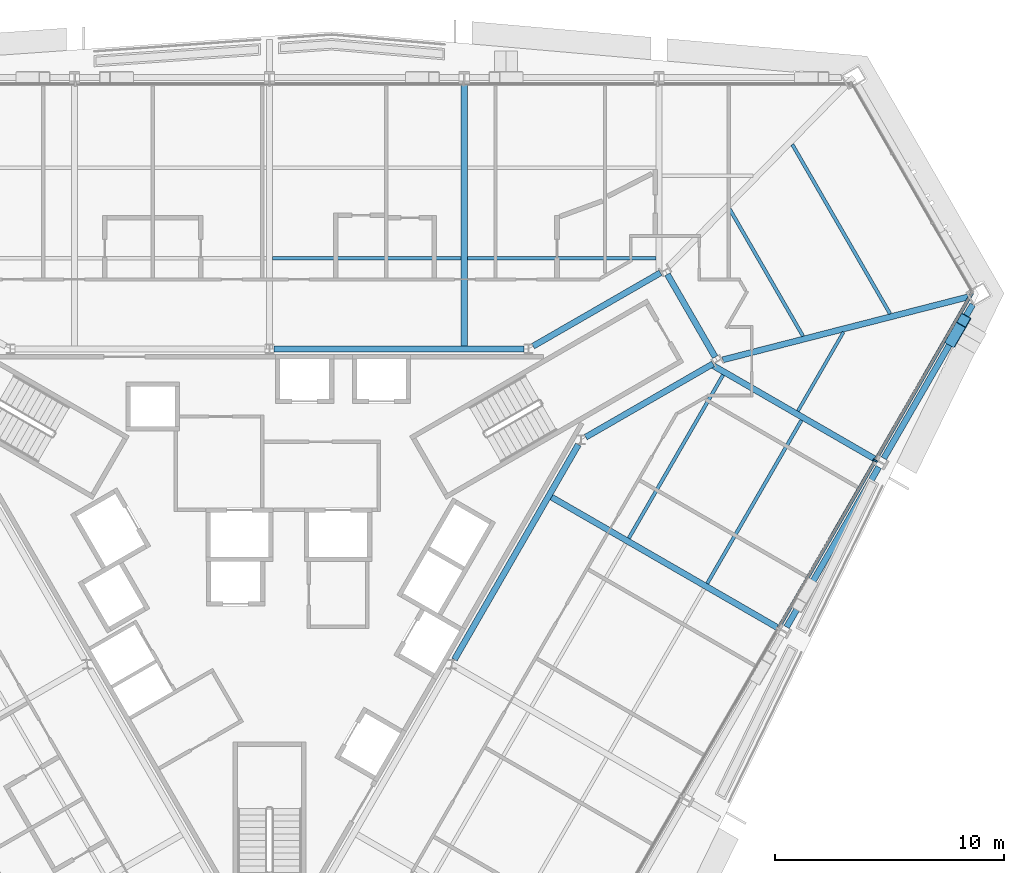
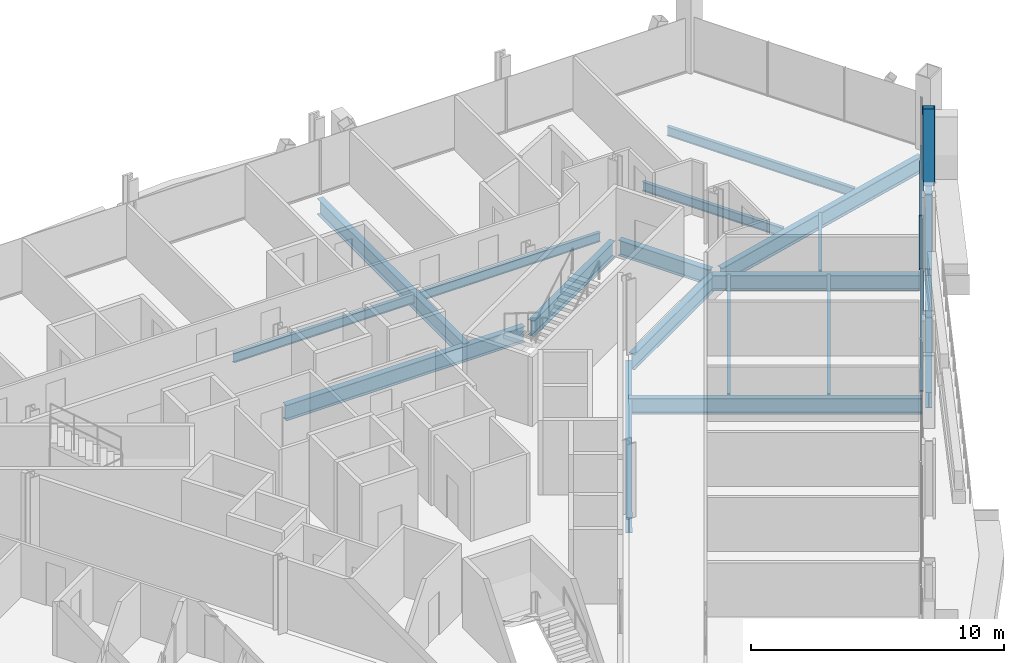
# One storey, part 7 of 18: 18 beams, 4 members, 1 element without a shape of its own.
"""IFC4 building model written with IfcOpenShell, lengths in metres."""

from ifc_helpers import new_model, si_unit, direction, frame, origin, origin_2d, place, context, subcontext, project, spatial, rectangle, hollow_rectangle, i_section, extrude, material, material_profile, profile_set, type_object, element, aggregate, save


model = new_model("IFC4")

# Units and contexts
model_context = context("Model", 3, precision=1e-05, world=origin(), true_north=direction((0.0, 1.0)))
body_context = subcontext(model_context, "Body", "Model", "MODEL_VIEW")
ifc_project = project(units=[si_unit("LENGTHUNIT", "METRE"), si_unit("AREAUNIT", "SQUARE_METRE"), si_unit("VOLUMEUNIT", "CUBIC_METRE"), si_unit("PLANEANGLEUNIT", "RADIAN"), si_unit("MASSUNIT", "GRAM", prefix="KILO")], contexts=[model_context])

# Site, building, storey
site_placement = place(None, origin())
site = spatial("IfcSite", under=ifc_project, at=site_placement, CompositionType="ELEMENT")
building_placement = place(site_placement, origin())
building = spatial("IfcBuilding", under=site, at=building_placement, Name="Verrane Prism Tower", CompositionType="ELEMENT")
storey_placement = place(building_placement, frame((0.0, 0.0, 54.800048828125)))
storey = spatial("IfcBuildingStorey", under=building, at=storey_placement, Name="L11", CompositionType="ELEMENT", Elevation=54.800048828125)

# Beams
ifc_material_1 = material(Name="Steel A992", Category="steel")
ifc_material_profile_1 = material_profile(ifc_material_1, i_section(OverallWidth=0.2666015625, OverallDepth=0.7568359375, WebThickness=0.013916015625, FlangeThickness=0.019287109375, FilletRadius=0.0166015625, at=origin_2d()), Name="W30x108")
ifc_profile_set_1 = profile_set([ifc_material_profile_1], Name="Steel A992")
beam_type_1 = type_object("IfcBeamType", Name="Core ring girder W30x108", PredefinedType="BEAM", material=ifc_profile_set_1)
beam_1_placement = place(storey_placement, frame((13.833251953125, 5.337158203125, -0.628662109375), z_axis=(0.86646365882, 0.499240150574, 0.0), x_axis=(-0.499240150574, 0.86646365882, 0.0)))
element("IfcBeam", 1, at=beam_1_placement, inside=storey, type_object=beam_type_1, Name="Core ring girder L11", PredefinedType="BEAM", context=body_context, shape_type="SweptSolid", body=[
    extrude(i_section(OverallWidth=0.2666015625, OverallDepth=0.7568359375, WebThickness=0.013916015625, FlangeThickness=0.019287109375, FilletRadius=0.0166015625, at=origin_2d()), origin(), (0.0, 0.0, 1.0), 6.42822265625),
])
beam_2_placement = place(storey_placement, frame((19.4951171875, 8.84130859375, -0.628662109375), z_axis=(-0.500349643494, 0.865823442888, 0.0), x_axis=(-0.865823442888, -0.500349643494, 0.0)))
element("IfcBeam", 2, at=beam_2_placement, inside=storey, type_object=beam_type_1, Name="Core ring girder L11", PredefinedType="BEAM", context=body_context, shape_type="SweptSolid", body=[
    extrude(i_section(OverallWidth=0.2666015625, OverallDepth=0.7568359375, WebThickness=0.013916015625, FlangeThickness=0.019287109375, FilletRadius=0.0166015625, at=origin_2d()), origin(), (0.0, 0.0, 1.0), 4.177734375),
])
beam_3_placement = place(storey_placement, frame((17.10302734375, 12.526611328125, -0.628662109375), z_axis=(-0.866447229751, -0.499268663203, 0.0), x_axis=(0.499268663203, -0.866447229751, 0.0)))
element("IfcBeam", 3, at=beam_3_placement, inside=storey, type_object=beam_type_1, Name="Core ring girder L11", PredefinedType="BEAM", context=body_context, shape_type="SweptSolid", body=[
    extrude(i_section(OverallWidth=0.2666015625, OverallDepth=0.7568359375, WebThickness=0.013916015625, FlangeThickness=0.019287109375, FilletRadius=0.0166015625, at=origin_2d()), origin(), (0.0, 0.0, 1.0), 6.428466796875),
])
beam_4_placement = place(storey_placement, frame((11.126708984375, 9.199951171875, -0.628662109375), z_axis=(-1.0, 0.0, 0.0), x_axis=(0.0, -1.0, 0.0)))
element("IfcBeam", 4, at=beam_4_placement, inside=storey, type_object=beam_type_1, Name="Core ring girder L11", PredefinedType="BEAM", context=body_context, shape_type="SweptSolid", body=[
    extrude(i_section(OverallWidth=0.2666015625, OverallDepth=0.7568359375, WebThickness=0.013916015625, FlangeThickness=0.019287109375, FilletRadius=0.0166015625, at=origin_2d()), origin(), (0.0, 0.0, 1.0), 10.923583984375),
])
beam_5_placement = place(storey_placement, frame((8.090087890625, -4.3916015625, -0.628662109375), z_axis=(0.499371892062, 0.866387738498, 0.0), x_axis=(-0.866387738498, 0.499371892062, 0.0)))
element("IfcBeam", 5, at=beam_5_placement, inside=storey, type_object=beam_type_1, Name="Core ring girder L11", PredefinedType="BEAM", context=body_context, shape_type="SweptSolid", body=[
    extrude(i_section(OverallWidth=0.2666015625, OverallDepth=0.7568359375, WebThickness=0.013916015625, FlangeThickness=0.019287109375, FilletRadius=0.0166015625, at=origin_2d()), origin(), (0.0, 0.0, 1.0), 10.853515625),
])
ifc_material_2 = material(Name="Steel A992", Category="steel")
ifc_material_profile_2 = material_profile(ifc_material_2, i_section(OverallWidth=0.2666015625, OverallDepth=0.76708984375, WebThickness=0.014892578125, FlangeThickness=0.023681640625, FilletRadius=0.0166015625, at=origin_2d()), Name="W30x124")
ifc_profile_set_2 = profile_set([ifc_material_profile_2], Name="Steel A992")
beam_type_2 = type_object("IfcBeamType", Name="Corner girder W30x124", PredefinedType="BEAM", material=ifc_profile_set_2)
beam_6_placement = place(storey_placement, frame((30.5673828125, 11.473876953125, -0.603515625), z_axis=(-0.968629214838, -0.248510450813, 0.0), x_axis=(0.248510450813, -0.968629214838, 0.0)))
element("IfcBeam", 6, at=beam_6_placement, inside=storey, type_object=beam_type_2, Name="Corner girder L11", PredefinedType="BEAM", context=body_context, shape_type="SweptSolid", body=[
    extrude(i_section(OverallWidth=0.2666015625, OverallDepth=0.76708984375, WebThickness=0.014892578125, FlangeThickness=0.023681640625, FilletRadius=0.0166015625, at=origin_2d()), origin(), (0.0, 0.0, 1.0), 11.086669921875),
])

# Member
ifc_material_3 = material(Name="Steel A1085 Grade A", Category="steel")
ifc_material_profile_3 = material_profile(ifc_material_3, hollow_rectangle(XDim=0.508056640625, YDim=0.508056640625, WallThickness=0.025390625, InnerFilletRadius=0.0126953125, OuterFilletRadius=0.0380859375, at=origin_2d()), Name="HSS20x20x1")
ifc_profile_set_3 = profile_set([ifc_material_profile_3], Name="Steel A1085 Grade A")
member_type_1 = type_object("IfcMemberType", Name="Facade brace HSS20x20x1", PredefinedType="BRACE", material=ifc_profile_set_3)
member_1_placement = place(storey_placement, frame((29.852783203125, 9.57080078125, -0.24267578125), z_axis=(0.160155263399, 0.277100129279, 0.947399498606), x_axis=(-0.865793377433, 0.500401666258, 0.0)))
element("IfcMember", 7, at=member_1_placement, inside=storey, type_object=member_type_1, Name="Facade brace SE5 L11", PredefinedType="BRACE", context=body_context, shape_type="SweptSolid", body=[
    extrude(hollow_rectangle(XDim=0.508056640625, YDim=0.508056640625, WallThickness=0.025390625, InnerFilletRadius=0.0126953125, OuterFilletRadius=0.0380859375, at=origin_2d()), origin(), (0.0, 0.0, 1.0), 3.17529296875),
])

# Beams
ifc_material_4 = material(Name="Steel A992", Category="steel")
ifc_material_profile_4 = material_profile(ifc_material_4, i_section(OverallWidth=0.140380859375, OverallDepth=0.40380859375, WebThickness=0.007080078125, FlangeThickness=0.01123046875, FilletRadius=0.01025390625, at=origin_2d()), Name="W16x31")
ifc_profile_set_4 = profile_set([ifc_material_profile_4], Name="Steel A992")
beam_type_3 = type_object("IfcBeamType", Name="Floor beam W16x31", PredefinedType="BEAM", material=ifc_profile_set_4)
beam_7_placement = place(storey_placement, frame((23.113525390625, 6.4794921875, -0.362060546875), z_axis=(0.500001357645, 0.866024619946, 0.0), x_axis=(-0.866024619946, 0.500001357645, 0.0)))
element("IfcBeam", 8, at=beam_7_placement, inside=storey, type_object=beam_type_3, Name="Floor beam L11", PredefinedType="BEAM", context=body_context, shape_type="SweptSolid", body=[
    extrude(i_section(OverallWidth=0.140380859375, OverallDepth=0.40380859375, WebThickness=0.007080078125, FlangeThickness=0.01123046875, FilletRadius=0.01025390625, at=origin_2d()), origin(), (0.0, 0.0, 1.0), 3.99072265625),
])
ifc_material_5 = material(Name="Steel A992", Category="steel")
ifc_material_profile_5 = material_profile(ifc_material_5, i_section(OverallWidth=0.15234375, OverallDepth=0.449462890625, WebThickness=0.007568359375, FlangeThickness=0.0107421875, FilletRadius=0.01025390625, at=origin_2d()), Name="W18x35")
ifc_profile_set_5 = profile_set([ifc_material_profile_5], Name="Steel A992")
beam_type_4 = type_object("IfcBeamType", Name="Floor beam W18x35", PredefinedType="BEAM", material=ifc_profile_set_5)
beam_8_placement = place(storey_placement, frame((8.653564453125, 13.15673828125, -0.384765625), z_axis=(1.0, 0.0, 0.0), x_axis=(0.0, 1.0, 0.0)))
element("IfcBeam", 9, at=beam_8_placement, inside=storey, type_object=beam_type_4, Name="Floor beam L11", PredefinedType="BEAM", context=body_context, shape_type="SweptSolid", body=[
    extrude(i_section(OverallWidth=0.15234375, OverallDepth=0.449462890625, WebThickness=0.007568359375, FlangeThickness=0.0107421875, FilletRadius=0.01025390625, at=origin_2d()), origin(), (0.0, 0.0, 1.0), 8.242919921875),
])
beam_9_placement = place(storey_placement, frame((0.133544921875, 13.15673828125, -0.384765625), z_axis=(1.0, 0.0, 0.0), x_axis=(0.0, 1.0, 0.0)))
element("IfcBeam", 10, at=beam_9_placement, inside=storey, type_object=beam_type_4, Name="Floor beam L11", PredefinedType="BEAM", context=body_context, shape_type="SweptSolid", body=[
    extrude(i_section(OverallWidth=0.15234375, OverallDepth=0.449462890625, WebThickness=0.007568359375, FlangeThickness=0.0107421875, FilletRadius=0.01025390625, at=origin_2d()), origin(), (0.0, 0.0, 1.0), 8.2529296875),
])
beam_10_placement = place(storey_placement, frame((19.146728515625, -1.064453125, -0.384765625), z_axis=(0.499987164874, 0.866032814021, 0.0), x_axis=(-0.866032814021, 0.499987164874, 0.0)))
element("IfcBeam", 11, at=beam_10_placement, inside=storey, type_object=beam_type_4, Name="Floor beam L11", PredefinedType="BEAM", context=body_context, shape_type="SweptSolid", body=[
    extrude(i_section(OverallWidth=0.15234375, OverallDepth=0.449462890625, WebThickness=0.007568359375, FlangeThickness=0.0107421875, FilletRadius=0.01025390625, at=origin_2d()), origin(), (0.0, 0.0, 1.0), 8.249755859375),
])
beam_11_placement = place(storey_placement, frame((15.716796875, 0.91552734375, -0.384765625), z_axis=(0.499996545922, 0.866027397988, 0.0), x_axis=(-0.866027397988, 0.499996545922, 0.0)))
element("IfcBeam", 12, at=beam_11_placement, inside=storey, type_object=beam_type_4, Name="Floor beam L11", PredefinedType="BEAM", context=body_context, shape_type="SweptSolid", body=[
    extrude(i_section(OverallWidth=0.15234375, OverallDepth=0.449462890625, WebThickness=0.007568359375, FlangeThickness=0.0107421875, FilletRadius=0.01025390625, at=origin_2d()), origin(), (0.0, 0.0, 1.0), 8.25),
])
beam_12_placement = place(storey_placement, frame((27.145263671875, 10.733642578125, -0.384765625), z_axis=(-0.499989342298, 0.866031556924, 0.0), x_axis=(-0.866031556924, -0.499989342298, 0.0)))
element("IfcBeam", 13, at=beam_12_placement, inside=storey, type_object=beam_type_4, Name="Floor beam L11", PredefinedType="BEAM", context=body_context, shape_type="SweptSolid", body=[
    extrude(i_section(OverallWidth=0.15234375, OverallDepth=0.449462890625, WebThickness=0.007568359375, FlangeThickness=0.0107421875, FilletRadius=0.01025390625, at=origin_2d()), origin(), (0.0, 0.0, 1.0), 8.552001953125),
])
beam_13_placement = place(storey_placement, frame((23.337158203125, 9.756591796875, -0.384765625), z_axis=(-0.49999063097, 0.866030812929, 0.0), x_axis=(-0.866030812929, -0.49999063097, 0.0)))
element("IfcBeam", 14, at=beam_13_placement, inside=storey, type_object=beam_type_4, Name="Floor beam L11", PredefinedType="BEAM", context=body_context, shape_type="SweptSolid", body=[
    extrude(i_section(OverallWidth=0.15234375, OverallDepth=0.449462890625, WebThickness=0.007568359375, FlangeThickness=0.0107421875, FilletRadius=0.01025390625, at=origin_2d()), origin(), (0.0, 0.0, 1.0), 6.435546875),
])

# Curtain wall, member
ifc_material_6 = material(Name="Aluminium framed insulated glazing", Category="aluminium")
curtain_wall_type = type_object("IfcCurtainWallType", Name="Curtain wall CW-A 8400 module", PredefinedType="NOTDEFINED", material=ifc_material_6)
curtain_wall_placement = place(storey_placement, origin())
curtain_wall = element("IfcCurtainWall", 15, at=curtain_wall_placement, inside=storey, type_object=curtain_wall_type, Name="Glazed curtain wall south-east face L11", PredefinedType="NOTDEFINED")
ifc_material_7 = material(Name="Aluminium alloy 6063-T6", Category="aluminium")
ifc_material_profile_6 = material_profile(ifc_material_7, rectangle(XDim=0.199951171875, YDim=0.070068359375, at=origin_2d()), Name="Mullion 70x200 aluminium")
ifc_profile_set_6 = profile_set([ifc_material_profile_6], Name="Aluminium alloy 6063-T6")
member_type_2 = type_object("IfcMemberType", Name="Mullion 70x200 aluminium", PredefinedType="MULLION", material=ifc_profile_set_6)
member_2_placement = place(storey_placement, frame((26.497314453125, 4.312744140625, 0.0), z_axis=(0.0, 0.0, 1.0), x_axis=(-0.866025694591, 0.499999496308, 0.0)))
member_2 = element("IfcMember", 16, at=member_2_placement, type_object=member_type_2, Name="CW09.6 mullion 6", PredefinedType="MULLION", context=body_context, shape_type="SweptSolid", body=[
    extrude(rectangle(XDim=0.199951171875, YDim=0.070068359375, at=origin_2d()), origin(), (0.0, 0.0, 1.0), 2.61279296875),
])

# Beams
ifc_material_8 = material(Name="Steel A992", Category="steel")
ifc_material_profile_7 = material_profile(ifc_material_8, i_section(OverallWidth=0.2666015625, OverallDepth=0.76708984375, WebThickness=0.014892578125, FlangeThickness=0.023681640625, FilletRadius=0.0166015625, at=origin_2d()), Name="W30x124")
ifc_profile_set_7 = profile_set([ifc_material_profile_7], Name="Steel A992")
beam_type_5 = type_object("IfcBeamType", Name="Radial girder W30x124", PredefinedType="BEAM", material=ifc_profile_set_7)
beam_14_placement = place(storey_placement, frame((8.52001953125, 20.8046875, -0.603515625), z_axis=(0.0, -1.0, 0.0), x_axis=(1.0, 0.0, 0.0)))
element("IfcBeam", 17, at=beam_14_placement, inside=storey, type_object=beam_type_5, Name="Radial girder L11", PredefinedType="BEAM", context=body_context, shape_type="SweptSolid", body=[
    extrude(i_section(OverallWidth=0.2666015625, OverallDepth=0.76708984375, WebThickness=0.014892578125, FlangeThickness=0.023681640625, FilletRadius=0.0166015625, at=origin_2d()), origin(), (0.0, 0.0, 1.0), 11.604736328125),
])
beam_15_placement = place(storey_placement, frame((22.280029296875, -3.02734375, -0.603515625), z_axis=(-0.866023488761, 0.500003316903, 0.0), x_axis=(-0.500003316903, -0.866023488761, 0.0)))
element("IfcBeam", 18, at=beam_15_placement, inside=storey, type_object=beam_type_5, Name="Radial girder L11", PredefinedType="BEAM", context=body_context, shape_type="SweptSolid", body=[
    extrude(i_section(OverallWidth=0.2666015625, OverallDepth=0.76708984375, WebThickness=0.014892578125, FlangeThickness=0.023681640625, FilletRadius=0.0166015625, at=origin_2d()), origin(), (0.0, 0.0, 1.0), 11.61279296875),
])
beam_16_placement = place(storey_placement, frame((26.530029296875, 4.352783203125, -0.603515625), z_axis=(-0.866021168401, 0.500007335828, 0.0), x_axis=(-0.500007335828, -0.866021168401, 0.0)))
element("IfcBeam", 19, at=beam_16_placement, inside=storey, type_object=beam_type_5, Name="Radial girder L11", PredefinedType="BEAM", context=body_context, shape_type="SweptSolid", body=[
    extrude(i_section(OverallWidth=0.2666015625, OverallDepth=0.76708984375, WebThickness=0.014892578125, FlangeThickness=0.023681640625, FilletRadius=0.0166015625, at=origin_2d()), origin(), (0.0, 0.0, 1.0), 8.30859375),
])
ifc_material_9 = material(Name="Steel A992", Category="steel")
ifc_material_profile_8 = material_profile(ifc_material_9, i_section(OverallWidth=0.2666015625, OverallDepth=0.7568359375, WebThickness=0.013916015625, FlangeThickness=0.019287109375, FilletRadius=0.0166015625, at=origin_2d()), Name="W30x108")
ifc_profile_set_8 = profile_set([ifc_material_profile_8], Name="Steel A992")
beam_type_6 = type_object("IfcBeamType", Name="Spandrel beam W30x108", PredefinedType="SPANDREL", material=ifc_profile_set_8)
beam_17_placement = place(storey_placement, frame((22.620361328125, -2.968505859375, -0.53857421875), z_axis=(0.499027753089, 0.866586003607, 0.0), x_axis=(-0.866586003607, 0.499027753089, 0.0)))
element("IfcBeam", 20, at=beam_17_placement, inside=storey, type_object=beam_type_6, Name="Spandrel beam L11", PredefinedType="SPANDREL", context=body_context, shape_type="SweptSolid", body=[
    extrude(i_section(OverallWidth=0.2666015625, OverallDepth=0.7568359375, WebThickness=0.013916015625, FlangeThickness=0.019287109375, FilletRadius=0.0166015625, at=origin_2d()), origin(), (0.0, 0.0, 1.0), 8.07421875),
])
beam_18_placement = place(storey_placement, frame((26.87060546875, 4.411376953125, -0.53857421875), z_axis=(0.500425695968, 0.865779488562, 0.0), x_axis=(-0.865779488562, 0.500425695968, 0.0)))
element("IfcBeam", 21, at=beam_18_placement, inside=storey, type_object=beam_type_6, Name="Spandrel beam L11", PredefinedType="SPANDREL", context=body_context, shape_type="SweptSolid", body=[
    extrude(i_section(OverallWidth=0.2666015625, OverallDepth=0.7568359375, WebThickness=0.013916015625, FlangeThickness=0.019287109375, FilletRadius=0.0166015625, at=origin_2d()), origin(), (0.0, 0.0, 1.0), 7.772216796875),
])

# Member
ifc_material_10 = material(Name="Aluminium alloy 6063-T6", Category="aluminium")
ifc_material_profile_9 = material_profile(ifc_material_10, rectangle(XDim=0.14990234375, YDim=0.070068359375, at=origin_2d()), Name="Transom 70x150 aluminium")
ifc_profile_set_9 = profile_set([ifc_material_profile_9], Name="Aluminium alloy 6063-T6")
member_type_3 = type_object("IfcMemberType", Name="Transom 70x150 aluminium", PredefinedType="USERDEFINED", material=ifc_profile_set_9)
member_3_placement = place(storey_placement, frame((22.268798828125, -3.01123046875, 0.034912109375), z_axis=(0.500005175824, 0.866022415501, 0.0), x_axis=(-0.866022415501, 0.500005175824, 0.0)))
member_3 = element("IfcMember", 22, at=member_3_placement, type_object=member_type_3, Name="CW09.6 transom 5", ObjectType="TRANSOM", PredefinedType="USERDEFINED", context=body_context, shape_type="SweptSolid", body=[
    extrude(rectangle(XDim=0.14990234375, YDim=0.070068359375, at=origin_2d()), origin(), (0.0, 0.0, 1.0), 8.421875),
])

member_4_placement = place(storey_placement, frame((26.5146484375, 4.343017578125, 0.034912109375), z_axis=(0.500014000576, 0.866017320397, 0.0), x_axis=(-0.866017320397, 0.500014000576, 0.0)))
member_4 = element("IfcMember", 23, at=member_4_placement, type_object=member_type_3, Name="CW09.6 transom 6", ObjectType="TRANSOM", PredefinedType="USERDEFINED", context=body_context, shape_type="SweptSolid", body=[
    extrude(rectangle(XDim=0.14990234375, YDim=0.070068359375, at=origin_2d()), origin(), (0.0, 0.0, 1.0), 8.456787109375),
])

aggregate(curtain_wall, [member_2, member_3, member_4])

save(model, "model.ifc")
